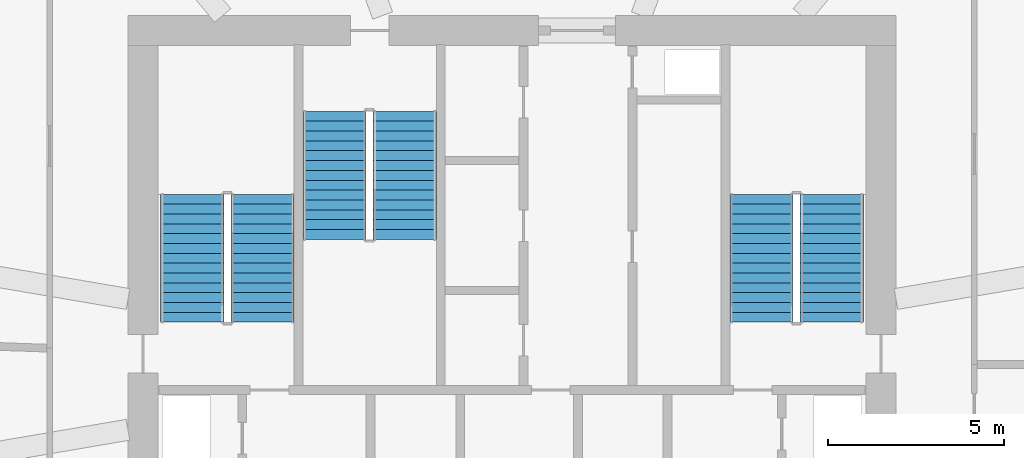
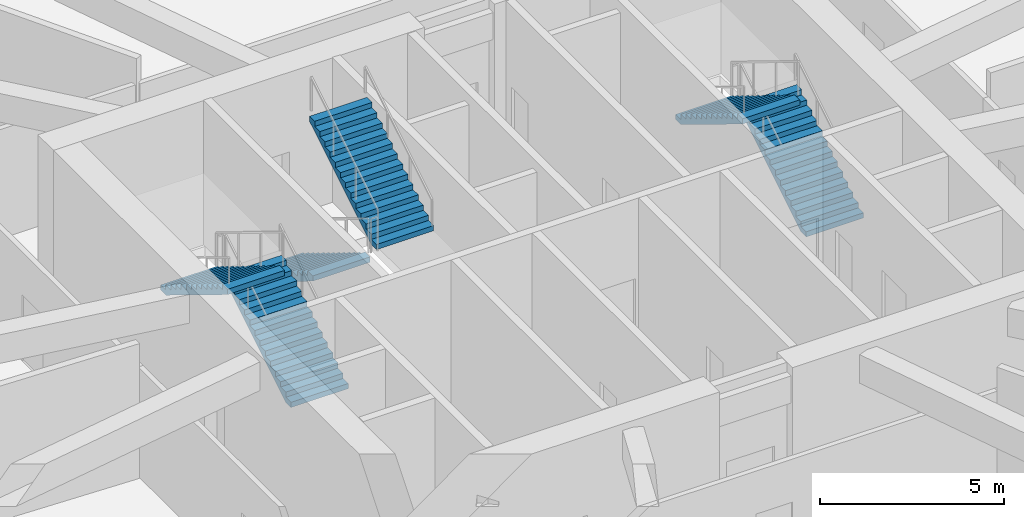
# One storey, part 9 of 10: 6 stair flights, 3 elements without a shape of their own.
"""IFC4 building model written with IfcOpenShell, lengths in metres."""

from ifc_helpers import new_model, si_unit, direction, frame, origin, place, context, subcontext, project, spatial, polyline, outline, extrude, material, type_object, element, aggregate, save


model = new_model("IFC4")

# Units and contexts
model_context = context("Model", 3, precision=1e-05, world=origin(), true_north=direction((0.0, 1.0)))
body_context = subcontext(model_context, "Body", "Model", "MODEL_VIEW")
ifc_project = project(units=[si_unit("LENGTHUNIT", "METRE"), si_unit("AREAUNIT", "SQUARE_METRE"), si_unit("VOLUMEUNIT", "CUBIC_METRE"), si_unit("PLANEANGLEUNIT", "RADIAN"), si_unit("MASSUNIT", "GRAM", prefix="KILO")], contexts=[model_context])

# Site, building, storey
site_placement = place(None, origin())
site = spatial("IfcSite", under=ifc_project, at=site_placement, CompositionType="ELEMENT")
building_placement = place(site_placement, origin())
building = spatial("IfcBuilding", under=site, at=building_placement, Name="Zuhravey Tower", CompositionType="ELEMENT")
storey_placement = place(building_placement, frame((0.0, 0.0, -4.800048828125)))
storey = spatial("IfcBuildingStorey", under=building, at=storey_placement, Name="B01", CompositionType="ELEMENT", Elevation=-4.800048828125)

# Stair, stair flights
ifc_material = material(Name="Concrete C40/50", Category="concrete")
stair_type = type_object("IfcStairType", Name="Basement Stair Assembly 4800", PredefinedType="HALF_TURN_STAIR", material=ifc_material)
stair_1_placement = place(storey_placement, origin())
stair_1 = element("IfcStair", 1, at=stair_1_placement, inside=storey, type_object=stair_type, Name="B01 Core Exit Stair ST1", PredefinedType="HALF_TURN_STAIR")
stair_flight_type = type_object("IfcStairFlightType", Name="Basement Stair Flight 4800", PredefinedType="STRAIGHT", material=ifc_material)
stair_flight_1_placement = place(storey_placement, frame((28.89990234375, 33.199951171875, 0.0), z_axis=(0.0, 0.0, 1.0), x_axis=(0.0, 1.0, 0.0)))
stair_flight_1 = element("IfcStairFlight", 2, at=stair_flight_1_placement, type_object=stair_flight_type, Name="ST1 flight 1", NumberOfRisers=14, NumberOfTreads=13, PredefinedType="STRAIGHT", RiserHeight=0.171428571, TreadLength=0.28, context=body_context, shape_type="SweptSolid", body=[
    extrude(outline(polyline([(0.0, 0.0), (0.0, 0.17138671875), (0.280029296875, 0.17138671875), (0.280029296875, 0.3427734375), (0.56005859375, 0.3427734375), (0.56005859375, 0.514404296875), (0.840087890625, 0.514404296875), (0.840087890625, 0.685791015625), (1.1201171875, 0.685791015625), (1.1201171875, 0.857177734375), (1.39990234375, 0.857177734375), (1.39990234375, 1.028564453125), (1.679931640625, 1.028564453125), (1.679931640625, 1.199951171875), (1.9599609375, 1.199951171875), (1.9599609375, 1.371337890625), (2.239990234375, 1.371337890625), (2.239990234375, 1.54296875), (2.52001953125, 1.54296875), (2.52001953125, 1.71435546875), (2.800048828125, 1.71435546875), (2.800048828125, 1.8857421875), (3.080078125, 1.8857421875), (3.080078125, 2.05712890625), (3.360107421875, 2.05712890625), (3.360107421875, 2.228515625), (3.639892578125, 2.228515625), (3.639892578125, 2.39990234375), (3.639892578125, 2.052734375), (0.287109375, 0.0), (0.0, 0.0)])), frame((0.0, 0.89990234375, 0.0), z_axis=(0.0, -1.0, 0.0), x_axis=(1.0, 0.0, 0.0)), (0.0, 0.0, 1.0), 1.800048828125),
])
stair_flight_2_placement = place(storey_placement, frame((26.89990234375, 36.840087890625, 2.400146484375), z_axis=(0.0, 0.0, 1.0), x_axis=(0.0, -1.0, 0.0)))
stair_flight_2 = element("IfcStairFlight", 3, at=stair_flight_2_placement, type_object=stair_flight_type, Name="ST1 flight 2", NumberOfRisers=14, NumberOfTreads=13, PredefinedType="STRAIGHT", RiserHeight=0.171428571, TreadLength=0.28, context=body_context, shape_type="SweptSolid", body=[
    extrude(outline(polyline([(0.0, 0.0), (0.0, 0.17138671875), (0.280029296875, 0.17138671875), (0.280029296875, 0.3427734375), (0.56005859375, 0.3427734375), (0.56005859375, 0.514404296875), (0.840087890625, 0.514404296875), (0.840087890625, 0.685791015625), (1.1201171875, 0.685791015625), (1.1201171875, 0.857177734375), (1.39990234375, 0.857177734375), (1.39990234375, 1.028564453125), (1.679931640625, 1.028564453125), (1.679931640625, 1.199951171875), (1.9599609375, 1.199951171875), (1.9599609375, 1.371337890625), (2.239990234375, 1.371337890625), (2.239990234375, 1.54296875), (2.52001953125, 1.54296875), (2.52001953125, 1.71435546875), (2.800048828125, 1.71435546875), (2.800048828125, 1.8857421875), (3.080078125, 1.8857421875), (3.080078125, 2.05712890625), (3.360107421875, 2.05712890625), (3.360107421875, 2.228515625), (3.639892578125, 2.228515625), (3.639892578125, 2.39990234375), (3.639892578125, 2.052734375), (0.287109375, 0.0), (0.0, 0.0)])), frame((0.0, 0.89990234375, 0.0), z_axis=(0.0, -1.0, 0.0), x_axis=(1.0, 0.0, 0.0)), (0.0, 0.0, 1.0), 1.800048828125),
])
aggregate(stair_1, [stair_flight_1, stair_flight_2])

stair_2_placement = place(storey_placement, origin())
stair_2 = element("IfcStair", 4, at=stair_2_placement, inside=storey, type_object=stair_type, Name="B01 Core Exit Stair ST2", PredefinedType="HALF_TURN_STAIR")
stair_flight_3_placement = place(storey_placement, frame((45.10009765625, 33.199951171875, 0.0), z_axis=(0.0, 0.0, 1.0), x_axis=(0.0, 1.0, 0.0)))
stair_flight_3 = element("IfcStairFlight", 5, at=stair_flight_3_placement, type_object=stair_flight_type, Name="ST2 flight 1", NumberOfRisers=14, NumberOfTreads=13, PredefinedType="STRAIGHT", RiserHeight=0.171428571, TreadLength=0.28, context=body_context, shape_type="SweptSolid", body=[
    extrude(outline(polyline([(0.0, 0.0), (0.0, 0.17138671875), (0.280029296875, 0.17138671875), (0.280029296875, 0.3427734375), (0.56005859375, 0.3427734375), (0.56005859375, 0.514404296875), (0.840087890625, 0.514404296875), (0.840087890625, 0.685791015625), (1.1201171875, 0.685791015625), (1.1201171875, 0.857177734375), (1.39990234375, 0.857177734375), (1.39990234375, 1.028564453125), (1.679931640625, 1.028564453125), (1.679931640625, 1.199951171875), (1.9599609375, 1.199951171875), (1.9599609375, 1.371337890625), (2.239990234375, 1.371337890625), (2.239990234375, 1.54296875), (2.52001953125, 1.54296875), (2.52001953125, 1.71435546875), (2.800048828125, 1.71435546875), (2.800048828125, 1.8857421875), (3.080078125, 1.8857421875), (3.080078125, 2.05712890625), (3.360107421875, 2.05712890625), (3.360107421875, 2.228515625), (3.639892578125, 2.228515625), (3.639892578125, 2.39990234375), (3.639892578125, 2.052734375), (0.287109375, 0.0), (0.0, 0.0)])), frame((0.0, 0.89990234375, 0.0), z_axis=(0.0, -1.0, 0.0), x_axis=(1.0, 0.0, 0.0)), (0.0, 0.0, 1.0), 1.800048828125),
])
stair_flight_4_placement = place(storey_placement, frame((43.10009765625, 36.840087890625, 2.400146484375), z_axis=(0.0, 0.0, 1.0), x_axis=(0.0, -1.0, 0.0)))
stair_flight_4 = element("IfcStairFlight", 6, at=stair_flight_4_placement, type_object=stair_flight_type, Name="ST2 flight 2", NumberOfRisers=14, NumberOfTreads=13, PredefinedType="STRAIGHT", RiserHeight=0.171428571, TreadLength=0.28, context=body_context, shape_type="SweptSolid", body=[
    extrude(outline(polyline([(0.0, 0.0), (0.0, 0.17138671875), (0.280029296875, 0.17138671875), (0.280029296875, 0.3427734375), (0.56005859375, 0.3427734375), (0.56005859375, 0.514404296875), (0.840087890625, 0.514404296875), (0.840087890625, 0.685791015625), (1.1201171875, 0.685791015625), (1.1201171875, 0.857177734375), (1.39990234375, 0.857177734375), (1.39990234375, 1.028564453125), (1.679931640625, 1.028564453125), (1.679931640625, 1.199951171875), (1.9599609375, 1.199951171875), (1.9599609375, 1.371337890625), (2.239990234375, 1.371337890625), (2.239990234375, 1.54296875), (2.52001953125, 1.54296875), (2.52001953125, 1.71435546875), (2.800048828125, 1.71435546875), (2.800048828125, 1.8857421875), (3.080078125, 1.8857421875), (3.080078125, 2.05712890625), (3.360107421875, 2.05712890625), (3.360107421875, 2.228515625), (3.639892578125, 2.228515625), (3.639892578125, 2.39990234375), (3.639892578125, 2.052734375), (0.287109375, 0.0), (0.0, 0.0)])), frame((0.0, 0.89990234375, 0.0), z_axis=(0.0, -1.0, 0.0), x_axis=(1.0, 0.0, 0.0)), (0.0, 0.0, 1.0), 1.800048828125),
])
aggregate(stair_2, [stair_flight_3, stair_flight_4])

stair_3_placement = place(storey_placement, origin())
stair_3 = element("IfcStair", 7, at=stair_3_placement, inside=storey, type_object=stair_type, Name="B01 Core Exit Stair ST3", PredefinedType="HALF_TURN_STAIR")
stair_flight_5_placement = place(storey_placement, frame((30.949951171875, 39.199951171875, 0.0), z_axis=(0.0, 0.0, 1.0), x_axis=(0.0, -1.0, 0.0)))
stair_flight_5 = element("IfcStairFlight", 8, at=stair_flight_5_placement, type_object=stair_flight_type, Name="ST3 flight 1", NumberOfRisers=14, NumberOfTreads=13, PredefinedType="STRAIGHT", RiserHeight=0.171428571, TreadLength=0.28, context=body_context, shape_type="SweptSolid", body=[
    extrude(outline(polyline([(0.0, 0.0), (0.0, 0.17138671875), (0.280029296875, 0.17138671875), (0.280029296875, 0.3427734375), (0.56005859375, 0.3427734375), (0.56005859375, 0.514404296875), (0.840087890625, 0.514404296875), (0.840087890625, 0.685791015625), (1.1201171875, 0.685791015625), (1.1201171875, 0.857177734375), (1.39990234375, 0.857177734375), (1.39990234375, 1.028564453125), (1.679931640625, 1.028564453125), (1.679931640625, 1.199951171875), (1.9599609375, 1.199951171875), (1.9599609375, 1.371337890625), (2.239990234375, 1.371337890625), (2.239990234375, 1.54296875), (2.52001953125, 1.54296875), (2.52001953125, 1.71435546875), (2.800048828125, 1.71435546875), (2.800048828125, 1.8857421875), (3.080078125, 1.8857421875), (3.080078125, 2.05712890625), (3.360107421875, 2.05712890625), (3.360107421875, 2.228515625), (3.639892578125, 2.228515625), (3.639892578125, 2.39990234375), (3.639892578125, 2.052734375), (0.287109375, 0.0), (0.0, 0.0)])), frame((0.0, 0.89990234375, 0.0), z_axis=(0.0, -1.0, 0.0), x_axis=(1.0, 0.0, 0.0)), (0.0, 0.0, 1.0), 1.800048828125),
])
stair_flight_6_placement = place(storey_placement, frame((32.949951171875, 35.56005859375, 2.400146484375), z_axis=(0.0, 0.0, 1.0), x_axis=(0.0, 1.0, 0.0)))
stair_flight_6 = element("IfcStairFlight", 9, at=stair_flight_6_placement, type_object=stair_flight_type, Name="ST3 flight 2", NumberOfRisers=14, NumberOfTreads=13, PredefinedType="STRAIGHT", RiserHeight=0.171428571, TreadLength=0.28, context=body_context, shape_type="SweptSolid", body=[
    extrude(outline(polyline([(0.0, 0.0), (0.0, 0.17138671875), (0.280029296875, 0.17138671875), (0.280029296875, 0.3427734375), (0.56005859375, 0.3427734375), (0.56005859375, 0.514404296875), (0.840087890625, 0.514404296875), (0.840087890625, 0.685791015625), (1.1201171875, 0.685791015625), (1.1201171875, 0.857177734375), (1.39990234375, 0.857177734375), (1.39990234375, 1.028564453125), (1.679931640625, 1.028564453125), (1.679931640625, 1.199951171875), (1.9599609375, 1.199951171875), (1.9599609375, 1.371337890625), (2.239990234375, 1.371337890625), (2.239990234375, 1.54296875), (2.52001953125, 1.54296875), (2.52001953125, 1.71435546875), (2.800048828125, 1.71435546875), (2.800048828125, 1.8857421875), (3.080078125, 1.8857421875), (3.080078125, 2.05712890625), (3.360107421875, 2.05712890625), (3.360107421875, 2.228515625), (3.639892578125, 2.228515625), (3.639892578125, 2.39990234375), (3.639892578125, 2.052734375), (0.287109375, 0.0), (0.0, 0.0)])), frame((0.0, 0.89990234375, 0.0), z_axis=(0.0, -1.0, 0.0), x_axis=(1.0, 0.0, 0.0)), (0.0, 0.0, 1.0), 1.800048828125),
])
aggregate(stair_3, [stair_flight_5, stair_flight_6])

save(model, "model.ifc")
